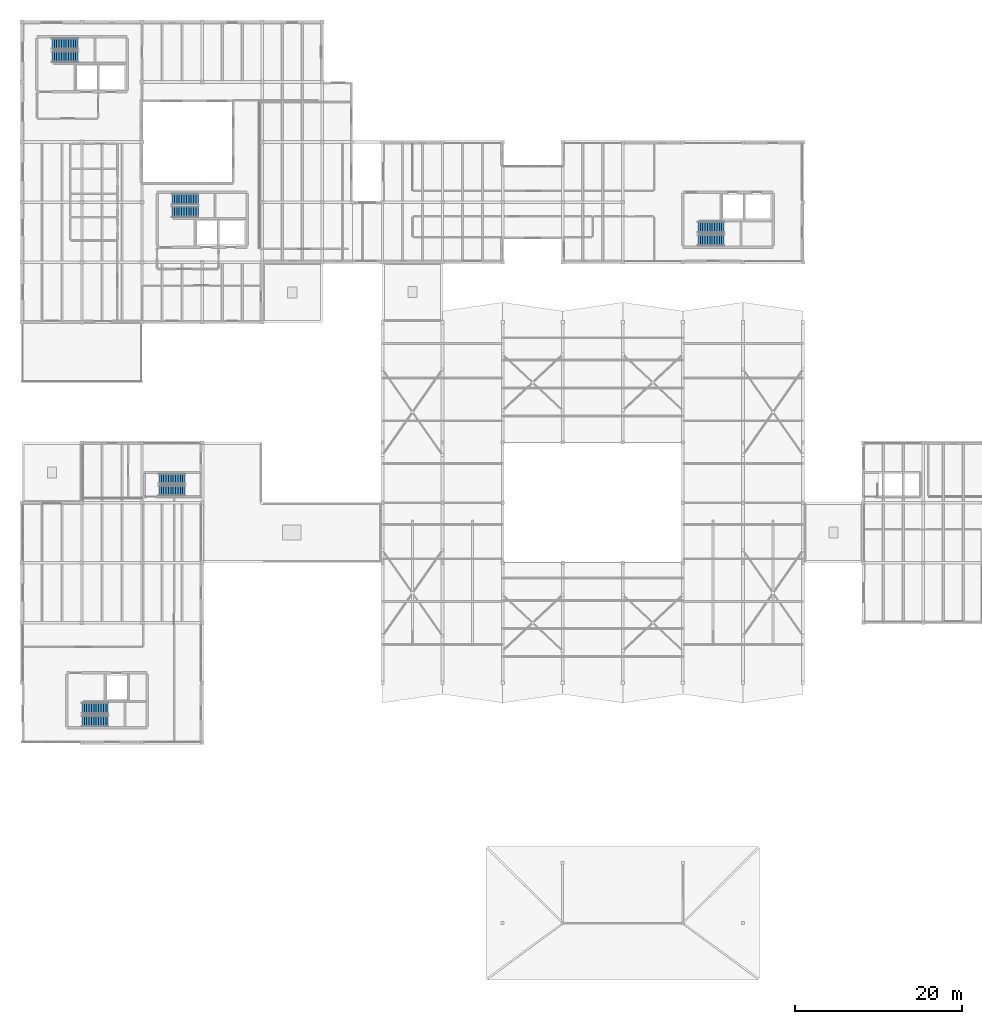
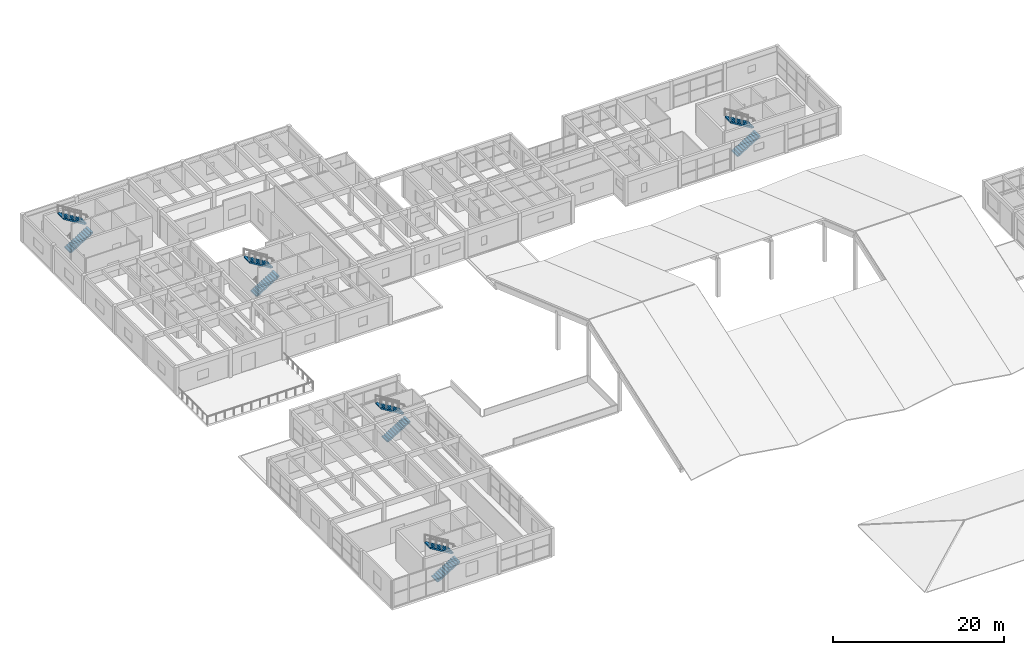
# One storey, part 62 of 68: 10 stair flights, 5 elements without a shape of their own.
"""IFC4 building model written with IfcOpenShell, lengths in metres."""

import ifcopenshell
import ifcopenshell.guid

model = None  # the IFC model being written
_history = None  # IfcOwnerHistory: only IFC2X3 demands one
_inside = {}  # id of a spatial element -> (the spatial element, [elements in it])
_under = {}  # id of a project, library or spatial element -> (it, [spatial elements below it])
_declared = {}  # id of a project -> (the project, [libraries it declares])
_typed = {}  # id of a type object -> (the type object, [elements of that type])
_made_of = {}  # id of a material, layer set ... -> (it, [elements and type objects made of it])


def new_model(schema):
    """Start an empty IFC model of exactly this schema.

    Asked for "IFC4X3", IfcOpenShell would pick the latest addendum, in which some entities
    have other attributes; the version numbers below select the first issue.
    IFC2X3 requires an IfcOwnerHistory on every rooted entity: one is made here for all.
    """
    global model, _history
    if schema == "IFC4X3":
        model = ifcopenshell.file(schema_version=(4, 3, 0, 0))
    else:
        model = ifcopenshell.file(schema=schema)
    _inside.clear()
    _under.clear()
    _declared.clear()
    _typed.clear()
    _made_of.clear()
    _history = None
    if model.schema == "IFC2X3":
        org = make("IfcOrganization", Name="unknown")
        user = make(
            "IfcPersonAndOrganization",
            ThePerson=make("IfcPerson", FamilyName="unknown"),
            TheOrganization=org,
        )
        app = make(
            "IfcApplication",
            ApplicationDeveloper=org,
            Version="unknown",
            ApplicationFullName="unknown",
            ApplicationIdentifier="unknown",
        )
        _history = make(
            "IfcOwnerHistory",
            OwningUser=user,
            OwningApplication=app,
            ChangeAction="ADDED",
            CreationDate=0,
        )
    return model


def make(cls, **values):
    """One entity of the class cls with the attributes given. An attribute that is None is left unset."""
    return model.create_entity(
        cls, **{name: value for name, value in values.items() if value is not None}
    )


def rooted(cls, **values):
    """An entity with a GlobalId (a new one), such as an element, a storey or a relation."""
    return make(cls, GlobalId=ifcopenshell.guid.new(), OwnerHistory=_history, **values)


def si_unit(unit_type, name, prefix=None):
    """IfcSIUnit, for example si_unit("LENGTHUNIT", "METRE", prefix="MILLI")."""
    return make("IfcSIUnit", UnitType=unit_type, Prefix=prefix, Name=name)


def assignment(units):
    """IfcUnitAssignment: the units of a project."""
    return None if units is None else make("IfcUnitAssignment", Units=units)


def point(xyz):
    """IfcCartesianPoint."""
    return None if xyz is None else make("IfcCartesianPoint", Coordinates=xyz)


def direction(xyz):
    """IfcDirection."""
    return None if xyz is None else make("IfcDirection", DirectionRatios=xyz)


def frame(location, z_axis=None, x_axis=None):
    """IfcAxis2Placement3D, a coordinate frame: its origin and axes. An axis left out is left unset."""
    return make(
        "IfcAxis2Placement3D",
        Location=point(location),
        Axis=direction(z_axis),
        RefDirection=direction(x_axis),
    )


def origin():
    """The frame at (0, 0, 0) with its axes left unset."""
    return frame((0.0, 0.0, 0.0))


def place(relative_to, where):
    """IfcLocalPlacement: puts the frame where relative to a parent placement (None: the world)."""
    return make(
        "IfcLocalPlacement", PlacementRelTo=relative_to, RelativePlacement=where
    )


def context(
    kind, dimensions, precision=None, world=None, true_north=None, identifier=None
):
    """IfcGeometricRepresentationContext, for example the 3D "Model" context."""
    return make(
        "IfcGeometricRepresentationContext",
        ContextIdentifier=identifier,
        ContextType=kind,
        CoordinateSpaceDimension=dimensions,
        Precision=precision,
        WorldCoordinateSystem=world,
        TrueNorth=true_north,
    )


def subcontext(parent, identifier, kind, view, scale=None):
    """IfcGeometricRepresentationSubContext, for example "Body" below "Model"."""
    return make(
        "IfcGeometricRepresentationSubContext",
        ContextIdentifier=identifier,
        ContextType=kind,
        ParentContext=parent,
        TargetScale=scale,
        TargetView=view,
    )


def project(units=None, contexts=None):
    """IfcProject with its units and contexts."""
    return rooted(
        "IfcProject",
        Name="project",
        RepresentationContexts=contexts,
        UnitsInContext=assignment(units),
    )


def spatial(cls, under=None, at=None, **own):
    """A site, building, storey or space (cls), placed at a placement, below another one or the project."""
    s = rooted(cls, ObjectPlacement=at, **own)
    if under is not None:
        _under.setdefault(under.id(), (under, []))[1].append(s)
    return s


def polyline(points):
    """IfcPolyline through the points."""
    return make("IfcPolyline", Points=[point(p) for p in points])


def outline(outer, holes=None, kind="AREA"):
    """IfcArbitraryClosedProfileDef: a profile drawn as a closed curve; with holes, ...WithVoids."""
    if holes is None:
        return make("IfcArbitraryClosedProfileDef", ProfileType=kind, OuterCurve=outer)
    return make(
        "IfcArbitraryProfileDefWithVoids",
        ProfileType=kind,
        OuterCurve=outer,
        InnerCurves=holes,
    )


def extrude(swept, where, along, depth):
    """IfcExtrudedAreaSolid: the profile swept, set in the frame where, extruded along a direction by depth."""
    return make(
        "IfcExtrudedAreaSolid",
        SweptArea=swept,
        Position=where,
        ExtrudedDirection=direction(along),
        Depth=depth,
    )


def shape(context_of_items, identifier, shape_type, items):
    """IfcShapeRepresentation: the items that make up one representation, for example the "Body"."""
    return make(
        "IfcShapeRepresentation",
        ContextOfItems=context_of_items,
        RepresentationIdentifier=identifier,
        RepresentationType=shape_type,
        Items=items,
    )


def material(Name=None, Category=None):
    """IfcMaterial."""
    return make("IfcMaterial", Name=Name, Category=Category)


def made_of(thing, what):
    """Note that an element or type object is made of a material, layer set ...; save() writes the relation."""
    if what is not None:
        _made_of.setdefault(what.id(), (what, []))[1].append(thing)
    return thing


def type_object(cls, material=None, **own):
    """A type object (cls), such as IfcWallType, which elements share."""
    return made_of(rooted(cls, **own), material)


def element(
    cls,
    number,
    at=None,
    inside=None,
    cuts=None,
    type_object=None,
    material=None,
    context=None,
    identifier="Body",
    shape_type=None,
    held_by="IfcProductDefinitionShape",
    body=None,
    shapes=None,
    **own,
):
    """One element of the class cls, such as IfcWall. Its Tag is "e" and its number.

    at: its placement. inside: the storey or other place that contains it. cuts: it is an
    opening in that element (IfcRelVoidsElement). A single representation is given by context,
    identifier, shape_type and body (its items); several are given by shapes. held_by: the class
    of the entity that holds the representations. save() writes the other relations.
    """
    e = rooted(cls, Tag="e%d" % number, ObjectPlacement=at, **own)
    if body is not None:
        shapes = [shape(context, identifier, shape_type, body)]
    if shapes is not None:
        e.Representation = make(held_by, Representations=shapes)
    if inside is not None:
        _inside.setdefault(inside.id(), (inside, []))[1].append(e)
    if cuts is not None:
        rooted(
            "IfcRelVoidsElement", RelatingBuildingElement=cuts, RelatedOpeningElement=e
        )
    if type_object is not None:
        _typed.setdefault(type_object.id(), (type_object, []))[1].append(e)
    return made_of(e, material)


def aggregate(whole, parts):
    """IfcRelAggregates: a whole, such as a stair, and the parts it consists of."""
    return rooted("IfcRelAggregates", RelatingObject=whole, RelatedObjects=parts)


def save(model, path):
    """Write the relations noted so far, then the file.

    IfcRelAggregates (storeys below a building ...), IfcRelContainedInSpatialStructure (elements
    in a storey), IfcRelDefinesByType, IfcRelAssociatesMaterial and IfcRelDeclares: one each for
    every whole, place, type object, material and project.
    """
    for whole, parts in _under.values():
        aggregate(whole, parts)
    for where, things in _inside.values():
        rooted(
            "IfcRelContainedInSpatialStructure",
            RelatedElements=things,
            RelatingStructure=where,
        )
    for kind, things in _typed.values():
        rooted("IfcRelDefinesByType", RelatedObjects=things, RelatingType=kind)
    for what, things in _made_of.values():
        rooted("IfcRelAssociatesMaterial", RelatedObjects=things, RelatingMaterial=what)
    for by, libraries in _declared.values():
        rooted("IfcRelDeclares", RelatingContext=by, RelatedDefinitions=libraries)
    model.write(path)


model = new_model("IFC4")

# Units and contexts
model_context = context("Model", 3, precision=1e-05, world=origin(), true_north=direction((0.0, 1.0)))
body_context = subcontext(model_context, "Body", "Model", "MODEL_VIEW")
ifc_project = project(units=[si_unit("LENGTHUNIT", "METRE"), si_unit("AREAUNIT", "SQUARE_METRE"), si_unit("VOLUMEUNIT", "CUBIC_METRE"), si_unit("PLANEANGLEUNIT", "RADIAN"), si_unit("MASSUNIT", "GRAM", prefix="KILO")], contexts=[model_context])

# Site, building, storey
site_placement = place(None, origin())
site = spatial("IfcSite", under=ifc_project, at=site_placement, CompositionType="ELEMENT")
building_placement = place(site_placement, origin())
building = spatial("IfcBuilding", under=site, at=building_placement, Name="Bramvelor Terrace Health Centre", CompositionType="ELEMENT")
storey_placement = place(building_placement, frame((0.0, 0.0, 9.300048828125)))
storey = spatial("IfcBuildingStorey", under=building, at=storey_placement, Name="L03", CompositionType="ELEMENT", Elevation=9.300048828125)

# Stair, stair flights
ifc_material_1 = material(Name="Concrete C40/50", Category="concrete")
stair_type_1 = type_object("IfcStairType", Name="STR-CORE", PredefinedType="HALF_TURN_STAIR", material=ifc_material_1)
stair_1_placement = place(storey_placement, origin())
stair_1 = element("IfcStair", 1, at=stair_1_placement, inside=storey, type_object=stair_type_1, Name="L03 C1 Primary Fire Stair", PredefinedType="HALF_TURN_STAIR")
ifc_material_2 = material(Name="Concrete C40/50", Category="concrete")
stair_flight_type_1 = type_object("IfcStairFlightType", Name="STRF-CORE", PredefinedType="STRAIGHT", material=ifc_material_2)
stair_flight_1_placement = place(storey_placement, frame((3.60009765625, 111.02490234375, 0.0), z_axis=(0.0, 0.0, 1.0), x_axis=(1.0, 0.0, 0.0)))
stair_flight_1 = element("IfcStairFlight", 2, at=stair_flight_1_placement, type_object=stair_flight_type_1, Name="ST-1 flight 1", NumberOfRisers=12, NumberOfTreads=11, PredefinedType="STRAIGHT", RiserHeight=0.175, TreadLength=0.285, context=body_context, shape_type="SweptSolid", body=[
    extrude(outline(polyline([(0.0, 0.0), (0.0, 0.175048828125), (0.284912109375, 0.175048828125), (0.284912109375, 0.35009765625), (0.570068359375, 0.35009765625), (0.570068359375, 0.52490234375), (0.85498046875, 0.52490234375), (0.85498046875, 0.699951171875), (1.139892578125, 0.699951171875), (1.139892578125, 0.875), (1.425048828125, 0.875), (1.425048828125, 1.050048828125), (1.7099609375, 1.050048828125), (1.7099609375, 1.22509765625), (1.9951171875, 1.22509765625), (1.9951171875, 1.39990234375), (2.280029296875, 1.39990234375), (2.280029296875, 1.574951171875), (2.56494140625, 1.574951171875), (2.56494140625, 1.75), (2.85009765625, 1.75), (2.85009765625, 1.925048828125), (3.135009765625, 1.925048828125), (3.135009765625, 2.10009765625), (3.135009765625, 1.7490234375), (0.286376953125, 0.0), (0.0, 0.0)])), frame((0.0, 0.675048828125, 0.0), z_axis=(0.0, -1.0, 0.0), x_axis=(1.0, 0.0, 0.0)), (0.0, 0.0, 1.0), 1.35009765625),
])
stair_flight_2_placement = place(storey_placement, frame((6.735107421875, 112.574951171875, 2.099853515625), z_axis=(0.0, 0.0, 1.0), x_axis=(-1.0, 0.0, 0.0)))
stair_flight_2 = element("IfcStairFlight", 3, at=stair_flight_2_placement, type_object=stair_flight_type_1, Name="ST-1 flight 2", NumberOfRisers=12, NumberOfTreads=11, PredefinedType="STRAIGHT", RiserHeight=0.175, TreadLength=0.285, context=body_context, shape_type="SweptSolid", body=[
    extrude(outline(polyline([(0.0, 0.0), (0.0, 0.175048828125), (0.284912109375, 0.175048828125), (0.284912109375, 0.35009765625), (0.570068359375, 0.35009765625), (0.570068359375, 0.52490234375), (0.85498046875, 0.52490234375), (0.85498046875, 0.699951171875), (1.139892578125, 0.699951171875), (1.139892578125, 0.875), (1.425048828125, 0.875), (1.425048828125, 1.050048828125), (1.7099609375, 1.050048828125), (1.7099609375, 1.22509765625), (1.9951171875, 1.22509765625), (1.9951171875, 1.39990234375), (2.280029296875, 1.39990234375), (2.280029296875, 1.574951171875), (2.56494140625, 1.574951171875), (2.56494140625, 1.75), (2.85009765625, 1.75), (2.85009765625, 1.925048828125), (3.135009765625, 1.925048828125), (3.135009765625, 2.10009765625), (3.135009765625, 1.7490234375), (0.286376953125, 0.0), (0.0, 0.0)])), frame((0.0, 0.675048828125, 0.0), z_axis=(0.0, -1.0, 0.0), x_axis=(1.0, 0.0, 0.0)), (0.0, 0.0, 1.0), 1.35009765625),
])
aggregate(stair_1, [stair_flight_1, stair_flight_2])

stair_2_placement = place(storey_placement, origin())
stair_2 = element("IfcStair", 4, at=stair_2_placement, inside=storey, type_object=stair_type_1, Name="L03 C2 Primary Fire Stair", PredefinedType="HALF_TURN_STAIR")
stair_flight_3_placement = place(storey_placement, frame((18.0, 92.425048828125, 0.0), z_axis=(0.0, 0.0, 1.0), x_axis=(1.0, 0.0, 0.0)))
stair_flight_3 = element("IfcStairFlight", 5, at=stair_flight_3_placement, type_object=stair_flight_type_1, Name="ST-2 flight 1", NumberOfRisers=12, NumberOfTreads=11, PredefinedType="STRAIGHT", RiserHeight=0.175, TreadLength=0.285, context=body_context, shape_type="SweptSolid", body=[
    extrude(outline(polyline([(0.0, 0.0), (0.0, 0.175048828125), (0.284912109375, 0.175048828125), (0.284912109375, 0.35009765625), (0.570068359375, 0.35009765625), (0.570068359375, 0.52490234375), (0.85498046875, 0.52490234375), (0.85498046875, 0.699951171875), (1.139892578125, 0.699951171875), (1.139892578125, 0.875), (1.425048828125, 0.875), (1.425048828125, 1.050048828125), (1.7099609375, 1.050048828125), (1.7099609375, 1.22509765625), (1.9951171875, 1.22509765625), (1.9951171875, 1.39990234375), (2.280029296875, 1.39990234375), (2.280029296875, 1.574951171875), (2.56494140625, 1.574951171875), (2.56494140625, 1.75), (2.85009765625, 1.75), (2.85009765625, 1.925048828125), (3.135009765625, 1.925048828125), (3.135009765625, 2.10009765625), (3.135009765625, 1.7490234375), (0.286376953125, 0.0), (0.0, 0.0)])), frame((0.0, 0.675048828125, 0.0), z_axis=(0.0, -1.0, 0.0), x_axis=(1.0, 0.0, 0.0)), (0.0, 0.0, 1.0), 1.35009765625),
])
stair_flight_4_placement = place(storey_placement, frame((21.135009765625, 93.97509765625, 2.099853515625), z_axis=(0.0, 0.0, 1.0), x_axis=(-1.0, 0.0, 0.0)))
stair_flight_4 = element("IfcStairFlight", 6, at=stair_flight_4_placement, type_object=stair_flight_type_1, Name="ST-2 flight 2", NumberOfRisers=12, NumberOfTreads=11, PredefinedType="STRAIGHT", RiserHeight=0.175, TreadLength=0.285, context=body_context, shape_type="SweptSolid", body=[
    extrude(outline(polyline([(0.0, 0.0), (0.0, 0.175048828125), (0.284912109375, 0.175048828125), (0.284912109375, 0.35009765625), (0.570068359375, 0.35009765625), (0.570068359375, 0.52490234375), (0.85498046875, 0.52490234375), (0.85498046875, 0.699951171875), (1.139892578125, 0.699951171875), (1.139892578125, 0.875), (1.425048828125, 0.875), (1.425048828125, 1.050048828125), (1.7099609375, 1.050048828125), (1.7099609375, 1.22509765625), (1.9951171875, 1.22509765625), (1.9951171875, 1.39990234375), (2.280029296875, 1.39990234375), (2.280029296875, 1.574951171875), (2.56494140625, 1.574951171875), (2.56494140625, 1.75), (2.85009765625, 1.75), (2.85009765625, 1.925048828125), (3.135009765625, 1.925048828125), (3.135009765625, 2.10009765625), (3.135009765625, 1.7490234375), (0.286376953125, 0.0), (0.0, 0.0)])), frame((0.0, 0.675048828125, 0.0), z_axis=(0.0, -1.0, 0.0), x_axis=(1.0, 0.0, 0.0)), (0.0, 0.0, 1.0), 1.35009765625),
])
aggregate(stair_2, [stair_flight_3, stair_flight_4])

stair_3_placement = place(storey_placement, origin())
stair_3 = element("IfcStair", 7, at=stair_3_placement, inside=storey, type_object=stair_type_1, Name="L03 C3 Primary Fire Stair", PredefinedType="HALF_TURN_STAIR")
stair_flight_5_placement = place(storey_placement, frame((7.199951171875, 31.425048828125, 0.0), z_axis=(0.0, 0.0, 1.0), x_axis=(1.0, 0.0, 0.0)))
stair_flight_5 = element("IfcStairFlight", 8, at=stair_flight_5_placement, type_object=stair_flight_type_1, Name="ST-3 flight 1", NumberOfRisers=12, NumberOfTreads=11, PredefinedType="STRAIGHT", RiserHeight=0.175, TreadLength=0.285, context=body_context, shape_type="SweptSolid", body=[
    extrude(outline(polyline([(0.0, 0.0), (0.0, 0.175048828125), (0.284912109375, 0.175048828125), (0.284912109375, 0.35009765625), (0.570068359375, 0.35009765625), (0.570068359375, 0.52490234375), (0.85498046875, 0.52490234375), (0.85498046875, 0.699951171875), (1.139892578125, 0.699951171875), (1.139892578125, 0.875), (1.425048828125, 0.875), (1.425048828125, 1.050048828125), (1.7099609375, 1.050048828125), (1.7099609375, 1.22509765625), (1.9951171875, 1.22509765625), (1.9951171875, 1.39990234375), (2.280029296875, 1.39990234375), (2.280029296875, 1.574951171875), (2.56494140625, 1.574951171875), (2.56494140625, 1.75), (2.85009765625, 1.75), (2.85009765625, 1.925048828125), (3.135009765625, 1.925048828125), (3.135009765625, 2.10009765625), (3.135009765625, 1.7490234375), (0.286376953125, 0.0), (0.0, 0.0)])), frame((0.0, 0.675048828125, 0.0), z_axis=(0.0, -1.0, 0.0), x_axis=(1.0, 0.0, 0.0)), (0.0, 0.0, 1.0), 1.35009765625),
])
stair_flight_6_placement = place(storey_placement, frame((10.3349609375, 32.97509765625, 2.099853515625), z_axis=(0.0, 0.0, 1.0), x_axis=(-1.0, 0.0, 0.0)))
stair_flight_6 = element("IfcStairFlight", 9, at=stair_flight_6_placement, type_object=stair_flight_type_1, Name="ST-3 flight 2", NumberOfRisers=12, NumberOfTreads=11, PredefinedType="STRAIGHT", RiserHeight=0.175, TreadLength=0.285, context=body_context, shape_type="SweptSolid", body=[
    extrude(outline(polyline([(0.0, 0.0), (0.0, 0.175048828125), (0.284912109375, 0.175048828125), (0.284912109375, 0.35009765625), (0.570068359375, 0.35009765625), (0.570068359375, 0.52490234375), (0.85498046875, 0.52490234375), (0.85498046875, 0.699951171875), (1.139892578125, 0.699951171875), (1.139892578125, 0.875), (1.425048828125, 0.875), (1.425048828125, 1.050048828125), (1.7099609375, 1.050048828125), (1.7099609375, 1.22509765625), (1.9951171875, 1.22509765625), (1.9951171875, 1.39990234375), (2.280029296875, 1.39990234375), (2.280029296875, 1.574951171875), (2.56494140625, 1.574951171875), (2.56494140625, 1.75), (2.85009765625, 1.75), (2.85009765625, 1.925048828125), (3.135009765625, 1.925048828125), (3.135009765625, 2.10009765625), (3.135009765625, 1.7490234375), (0.286376953125, 0.0), (0.0, 0.0)])), frame((0.0, 0.675048828125, 0.0), z_axis=(0.0, -1.0, 0.0), x_axis=(1.0, 0.0, 0.0)), (0.0, 0.0, 1.0), 1.35009765625),
])
aggregate(stair_3, [stair_flight_5, stair_flight_6])

stair_4_placement = place(storey_placement, origin())
stair_4 = element("IfcStair", 10, at=stair_4_placement, inside=storey, type_object=stair_type_1, Name="L03 C4 Primary Fire Stair", PredefinedType="HALF_TURN_STAIR")
stair_flight_7_placement = place(storey_placement, frame((81.0, 89.02490234375, 0.0), z_axis=(0.0, 0.0, 1.0), x_axis=(1.0, 0.0, 0.0)))
stair_flight_7 = element("IfcStairFlight", 11, at=stair_flight_7_placement, type_object=stair_flight_type_1, Name="ST-4 flight 1", NumberOfRisers=12, NumberOfTreads=11, PredefinedType="STRAIGHT", RiserHeight=0.175, TreadLength=0.285, context=body_context, shape_type="SweptSolid", body=[
    extrude(outline(polyline([(0.0, 0.0), (0.0, 0.175048828125), (0.284912109375, 0.175048828125), (0.284912109375, 0.35009765625), (0.570068359375, 0.35009765625), (0.570068359375, 0.52490234375), (0.85498046875, 0.52490234375), (0.85498046875, 0.699951171875), (1.139892578125, 0.699951171875), (1.139892578125, 0.875), (1.425048828125, 0.875), (1.425048828125, 1.050048828125), (1.7099609375, 1.050048828125), (1.7099609375, 1.22509765625), (1.9951171875, 1.22509765625), (1.9951171875, 1.39990234375), (2.280029296875, 1.39990234375), (2.280029296875, 1.574951171875), (2.56494140625, 1.574951171875), (2.56494140625, 1.75), (2.85009765625, 1.75), (2.85009765625, 1.925048828125), (3.135009765625, 1.925048828125), (3.135009765625, 2.10009765625), (3.135009765625, 1.7490234375), (0.286376953125, 0.0), (0.0, 0.0)])), frame((0.0, 0.675048828125, 0.0), z_axis=(0.0, -1.0, 0.0), x_axis=(1.0, 0.0, 0.0)), (0.0, 0.0, 1.0), 1.35009765625),
])
stair_flight_8_placement = place(storey_placement, frame((84.135009765625, 90.574951171875, 2.099853515625), z_axis=(0.0, 0.0, 1.0), x_axis=(-1.0, 0.0, 0.0)))
stair_flight_8 = element("IfcStairFlight", 12, at=stair_flight_8_placement, type_object=stair_flight_type_1, Name="ST-4 flight 2", NumberOfRisers=12, NumberOfTreads=11, PredefinedType="STRAIGHT", RiserHeight=0.175, TreadLength=0.285, context=body_context, shape_type="SweptSolid", body=[
    extrude(outline(polyline([(0.0, 0.0), (0.0, 0.175048828125), (0.284912109375, 0.175048828125), (0.284912109375, 0.35009765625), (0.570068359375, 0.35009765625), (0.570068359375, 0.52490234375), (0.85498046875, 0.52490234375), (0.85498046875, 0.699951171875), (1.139892578125, 0.699951171875), (1.139892578125, 0.875), (1.425048828125, 0.875), (1.425048828125, 1.050048828125), (1.7099609375, 1.050048828125), (1.7099609375, 1.22509765625), (1.9951171875, 1.22509765625), (1.9951171875, 1.39990234375), (2.280029296875, 1.39990234375), (2.280029296875, 1.574951171875), (2.56494140625, 1.574951171875), (2.56494140625, 1.75), (2.85009765625, 1.75), (2.85009765625, 1.925048828125), (3.135009765625, 1.925048828125), (3.135009765625, 2.10009765625), (3.135009765625, 1.7490234375), (0.286376953125, 0.0), (0.0, 0.0)])), frame((0.0, 0.675048828125, 0.0), z_axis=(0.0, -1.0, 0.0), x_axis=(1.0, 0.0, 0.0)), (0.0, 0.0, 1.0), 1.35009765625),
])
aggregate(stair_4, [stair_flight_7, stair_flight_8])

ifc_material_3 = material(Name="Concrete C40/50", Category="concrete")
stair_type_2 = type_object("IfcStairType", Name="STR-SEC", PredefinedType="HALF_TURN_STAIR", material=ifc_material_3)
stair_5_placement = place(storey_placement, origin())
stair_5 = element("IfcStair", 13, at=stair_5_placement, inside=storey, type_object=stair_type_2, Name="L03 North Pharmacy & Mental Health Exit Stair", PredefinedType="HALF_TURN_STAIR")
ifc_material_4 = material(Name="Concrete C40/50", Category="concrete")
stair_flight_type_2 = type_object("IfcStairFlightType", Name="STRF-SEC", PredefinedType="STRAIGHT", material=ifc_material_4)
stair_flight_9_placement = place(storey_placement, frame((16.419921875, 59.02490234375, 0.0), z_axis=(0.0, 0.0, 1.0), x_axis=(1.0, 0.0, 0.0)))
stair_flight_9 = element("IfcStairFlight", 14, at=stair_flight_9_placement, type_object=stair_flight_type_2, Name="ST-6 flight 1", NumberOfRisers=12, NumberOfTreads=11, PredefinedType="STRAIGHT", RiserHeight=0.175, TreadLength=0.285, context=body_context, shape_type="SweptSolid", body=[
    extrude(outline(polyline([(0.0, 0.0), (0.0, 0.175048828125), (0.284912109375, 0.175048828125), (0.284912109375, 0.35009765625), (0.570068359375, 0.35009765625), (0.570068359375, 0.52490234375), (0.85498046875, 0.52490234375), (0.85498046875, 0.699951171875), (1.139892578125, 0.699951171875), (1.139892578125, 0.875), (1.425048828125, 0.875), (1.425048828125, 1.050048828125), (1.7099609375, 1.050048828125), (1.7099609375, 1.22509765625), (1.9951171875, 1.22509765625), (1.9951171875, 1.39990234375), (2.280029296875, 1.39990234375), (2.280029296875, 1.574951171875), (2.56494140625, 1.574951171875), (2.56494140625, 1.75), (2.85009765625, 1.75), (2.85009765625, 1.925048828125), (3.135009765625, 1.925048828125), (3.135009765625, 2.10009765625), (3.135009765625, 1.7490234375), (0.286376953125, 0.0), (0.0, 0.0)])), frame((0.0, 0.625, 0.0), z_axis=(0.0, -1.0, 0.0), x_axis=(1.0, 0.0, 0.0)), (0.0, 0.0, 1.0), 1.25),
])
stair_flight_10_placement = place(storey_placement, frame((19.554931640625, 60.47509765625, 2.099853515625), z_axis=(0.0, 0.0, 1.0), x_axis=(-1.0, 0.0, 0.0)))
stair_flight_10 = element("IfcStairFlight", 15, at=stair_flight_10_placement, type_object=stair_flight_type_2, Name="ST-6 flight 2", NumberOfRisers=12, NumberOfTreads=11, PredefinedType="STRAIGHT", RiserHeight=0.175, TreadLength=0.285, context=body_context, shape_type="SweptSolid", body=[
    extrude(outline(polyline([(0.0, 0.0), (0.0, 0.175048828125), (0.284912109375, 0.175048828125), (0.284912109375, 0.35009765625), (0.570068359375, 0.35009765625), (0.570068359375, 0.52490234375), (0.85498046875, 0.52490234375), (0.85498046875, 0.699951171875), (1.139892578125, 0.699951171875), (1.139892578125, 0.875), (1.425048828125, 0.875), (1.425048828125, 1.050048828125), (1.7099609375, 1.050048828125), (1.7099609375, 1.22509765625), (1.9951171875, 1.22509765625), (1.9951171875, 1.39990234375), (2.280029296875, 1.39990234375), (2.280029296875, 1.574951171875), (2.56494140625, 1.574951171875), (2.56494140625, 1.75), (2.85009765625, 1.75), (2.85009765625, 1.925048828125), (3.135009765625, 1.925048828125), (3.135009765625, 2.10009765625), (3.135009765625, 1.7490234375), (0.286376953125, 0.0), (0.0, 0.0)])), frame((0.0, 0.625, 0.0), z_axis=(0.0, -1.0, 0.0), x_axis=(1.0, 0.0, 0.0)), (0.0, 0.0, 1.0), 1.25),
])
aggregate(stair_5, [stair_flight_9, stair_flight_10])

save(model, "model.ifc")
